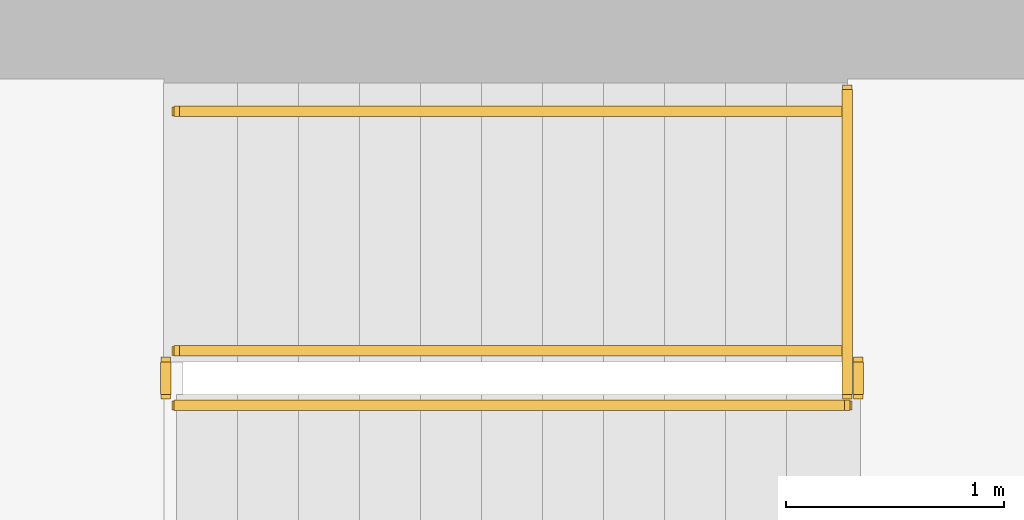
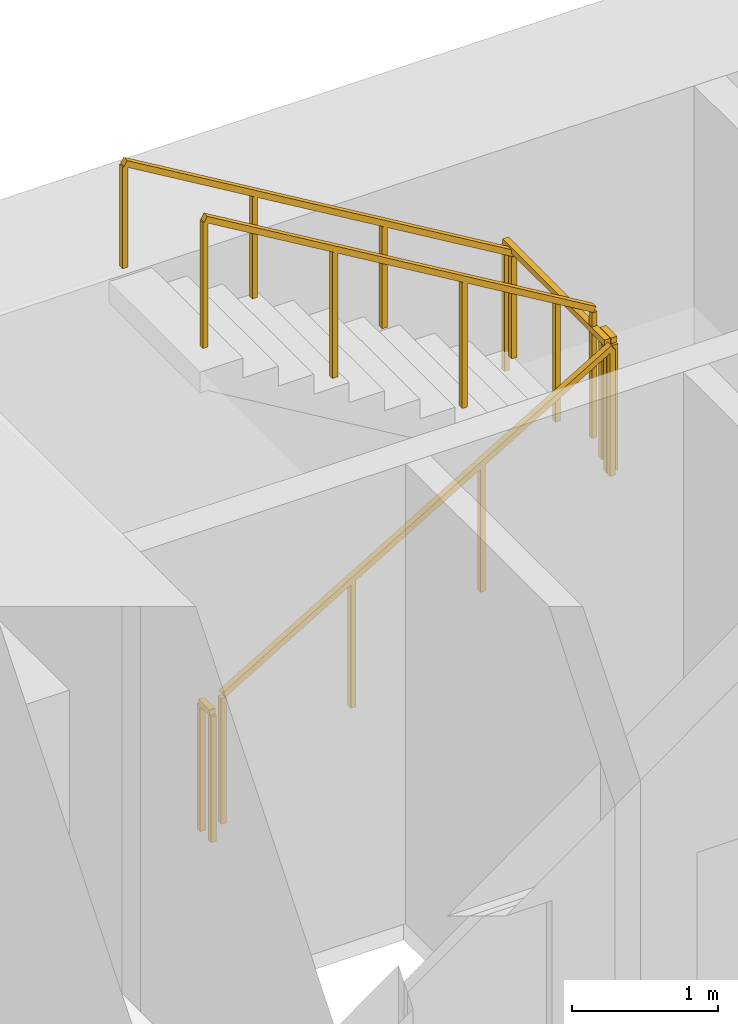
# One storey, part 15 of 16: 6 railings.
"""IFC4 building model written with IfcOpenShell, lengths in metres."""

from ifc_helpers import new_model, si_unit, direction, frame, origin, origin_2d, place, context, subcontext, project, spatial, rectangle, extrude, material, type_object, element, save


model = new_model("IFC4")

# Units and contexts
model_context = context("Model", 3, precision=1e-05, world=origin(), true_north=direction((0.0, 1.0)))
body_context = subcontext(model_context, "Body", "Model", "MODEL_VIEW")
ifc_project = project(units=[si_unit("LENGTHUNIT", "METRE"), si_unit("AREAUNIT", "SQUARE_METRE"), si_unit("VOLUMEUNIT", "CUBIC_METRE"), si_unit("PLANEANGLEUNIT", "RADIAN"), si_unit("MASSUNIT", "GRAM", prefix="KILO")], contexts=[model_context])

# Site, building, storey
site_placement = place(None, origin())
site = spatial("IfcSite", under=ifc_project, at=site_placement, CompositionType="ELEMENT")
building_placement = place(site_placement, origin())
building = spatial("IfcBuilding", under=site, at=building_placement, Name="Sennacour Bend Tower", CompositionType="ELEMENT")
storey_placement = place(building_placement, frame((0.0, 0.0, 87.0)))
storey = spatial("IfcBuildingStorey", under=building, at=storey_placement, Name="L19", CompositionType="ELEMENT", Elevation=87.0)

# Railings
ifc_material = material(Name="Stainless steel", Category="steel")
railing_type_1 = type_object("IfcRailingType", Name="RL-GUARD-1100", PredefinedType="GUARDRAIL", material=ifc_material)
railing_1_placement = place(storey_placement, frame((56.699951171875, 19.85009765625, 0.166748046875)))
element("IfcRailing", 1, at=railing_1_placement, inside=storey, type_object=railing_type_1, Name="L19 SA2 stair guard 1", PredefinedType="GUARDRAIL", context=body_context, shape_type="SweptSolid", body=[
    extrude(rectangle(XDim=0.048095703125, YDim=0.048095703125, at=origin_2d()), frame((0.0, 0.0, 1.076171875), z_axis=(0.859308565015, 0.0, 0.511457515432), x_axis=(0.0, 1.0, 0.0)), (0.0, 0.0, 1.0), 3.58447265625),
    extrude(rectangle(XDim=0.0419921875, YDim=0.0419921875, at=origin_2d()), origin(), (0.0, 0.0, 1.0), 1.052001953125),
    extrude(rectangle(XDim=0.0419921875, YDim=0.0419921875, at=origin_2d()), frame((1.026611328125, 0.0, 0.611083984375)), (0.0, 0.0, 1.0), 1.052001953125),
    extrude(rectangle(XDim=0.0419921875, YDim=0.0419921875, at=origin_2d()), frame((2.053466796875, 0.0, 1.22216796875)), (0.0, 0.0, 1.0), 1.052001953125),
    extrude(rectangle(XDim=0.0419921875, YDim=0.0419921875, at=origin_2d()), frame((3.080078125, 0.0, 1.833251953125)), (0.0, 0.0, 1.0), 1.052001953125),
])
railing_2_placement = place(storey_placement, frame((59.830078125, 19.89990234375, 2.0)))
element("IfcRailing", 2, at=railing_2_placement, inside=storey, type_object=railing_type_1, Name="L19 SA2 stair guard 2", PredefinedType="GUARDRAIL", context=body_context, shape_type="SweptSolid", body=[
    extrude(rectangle(XDim=0.048095703125, YDim=0.048095703125, at=origin_2d()), frame((0.0, 0.0, 1.076171875), z_axis=(0.0, 1.0, 0.0), x_axis=(-1.0, 0.0, 0.0)), (0.0, 0.0, 1.0), 0.150146484375),
    extrude(rectangle(XDim=0.0419921875, YDim=0.0419921875, at=origin_2d()), origin(), (0.0, 0.0, 1.0), 1.052001953125),
    extrude(rectangle(XDim=0.0419921875, YDim=0.0419921875, at=origin_2d()), frame((0.0, 0.150146484375, 0.0)), (0.0, 0.0, 1.0), 1.052001953125),
])
railing_3_placement = place(storey_placement, frame((59.780029296875, 20.10009765625, 2.166748046875)))
element("IfcRailing", 3, at=railing_3_placement, inside=storey, type_object=railing_type_1, Name="L19 SA2 stair guard 4", PredefinedType="GUARDRAIL", context=body_context, shape_type="SweptSolid", body=[
    extrude(rectangle(XDim=0.048095703125, YDim=0.048095703125, at=origin_2d()), frame((0.0, 0.0, 1.076171875), z_axis=(-0.859308565015, 0.0, 0.511457515432), x_axis=(0.0, -1.0, 0.0)), (0.0, 0.0, 1.0), 3.58447265625),
    extrude(rectangle(XDim=0.0419921875, YDim=0.0419921875, at=origin_2d()), origin(), (0.0, 0.0, 1.0), 1.052001953125),
    extrude(rectangle(XDim=0.0419921875, YDim=0.0419921875, at=origin_2d()), frame((-1.026611328125, 0.0, 0.611083984375)), (0.0, 0.0, 1.0), 1.052001953125),
    extrude(rectangle(XDim=0.0419921875, YDim=0.0419921875, at=origin_2d()), frame((-2.053466796875, 0.0, 1.22216796875)), (0.0, 0.0, 1.0), 1.052001953125),
    extrude(rectangle(XDim=0.0419921875, YDim=0.0419921875, at=origin_2d()), frame((-3.080078125, 0.0, 1.833251953125)), (0.0, 0.0, 1.0), 1.052001953125),
])
railing_4_placement = place(storey_placement, frame((56.64990234375, 19.89990234375, 0.0)))
element("IfcRailing", 4, at=railing_4_placement, inside=storey, type_object=railing_type_1, Name="L19 SA2 stair guard 5", PredefinedType="GUARDRAIL", context=body_context, shape_type="SweptSolid", body=[
    extrude(rectangle(XDim=0.048095703125, YDim=0.048095703125, at=origin_2d()), frame((0.0, 0.0, 1.076171875), z_axis=(0.0, 1.0, 0.0), x_axis=(-1.0, 0.0, 0.0)), (0.0, 0.0, 1.0), 0.150146484375),
    extrude(rectangle(XDim=0.0419921875, YDim=0.0419921875, at=origin_2d()), origin(), (0.0, 0.0, 1.0), 1.052001953125),
    extrude(rectangle(XDim=0.0419921875, YDim=0.0419921875, at=origin_2d()), frame((0.0, 0.150146484375, 0.0)), (0.0, 0.0, 1.0), 1.052001953125),
])
railing_5_placement = place(storey_placement, frame((59.780029296875, 19.89990234375, 2.0)))
element("IfcRailing", 5, at=railing_5_placement, inside=storey, type_object=railing_type_1, Name="L19 SA2 landing edge guard 32", PredefinedType="GUARDRAIL", context=body_context, shape_type="SweptSolid", body=[
    extrude(rectangle(XDim=0.048095703125, YDim=0.048095703125, at=origin_2d()), frame((0.0, 0.0, 1.076171875), z_axis=(0.0, 1.0, 0.0), x_axis=(-1.0, 0.0, 0.0)), (0.0, 0.0, 1.0), 1.400146484375),
    extrude(rectangle(XDim=0.0419921875, YDim=0.0419921875, at=origin_2d()), origin(), (0.0, 0.0, 1.0), 1.052001953125),
    extrude(rectangle(XDim=0.0419921875, YDim=0.0419921875, at=origin_2d()), frame((0.0, 0.7001953125, 0.0)), (0.0, 0.0, 1.0), 1.052001953125),
    extrude(rectangle(XDim=0.0419921875, YDim=0.0419921875, at=origin_2d()), frame((0.0, 1.400146484375, 0.0)), (0.0, 0.0, 1.0), 1.052001953125),
])
railing_type_2 = type_object("IfcRailingType", Name="RL-HANDRAIL-900", PredefinedType="HANDRAIL", material=ifc_material)
railing_6_placement = place(storey_placement, frame((59.780029296875, 21.199951171875, 2.166748046875)))
element("IfcRailing", 6, at=railing_6_placement, inside=storey, type_object=railing_type_2, Name="L19 SA2 stair handrail 2", PredefinedType="HANDRAIL", context=body_context, shape_type="SweptSolid", body=[
    extrude(rectangle(XDim=0.048095703125, YDim=0.048095703125, at=origin_2d()), frame((0.0, 0.0, 0.8759765625), z_axis=(-0.859308565015, 0.0, 0.511457515432), x_axis=(0.0, -1.0, 0.0)), (0.0, 0.0, 1.0), 3.58447265625),
    extrude(rectangle(XDim=0.0419921875, YDim=0.0419921875, at=origin_2d()), origin(), (0.0, 0.0, 1.0), 0.851806640625),
    extrude(rectangle(XDim=0.0419921875, YDim=0.0419921875, at=origin_2d()), frame((-1.026611328125, 0.0, 0.611083984375)), (0.0, 0.0, 1.0), 0.851806640625),
    extrude(rectangle(XDim=0.0419921875, YDim=0.0419921875, at=origin_2d()), frame((-2.053466796875, 0.0, 1.22216796875)), (0.0, 0.0, 1.0), 0.851806640625),
    extrude(rectangle(XDim=0.0419921875, YDim=0.0419921875, at=origin_2d()), frame((-3.080078125, 0.0, 1.833251953125)), (0.0, 0.0, 1.0), 0.851806640625),
])

save(model, "model.ifc")
